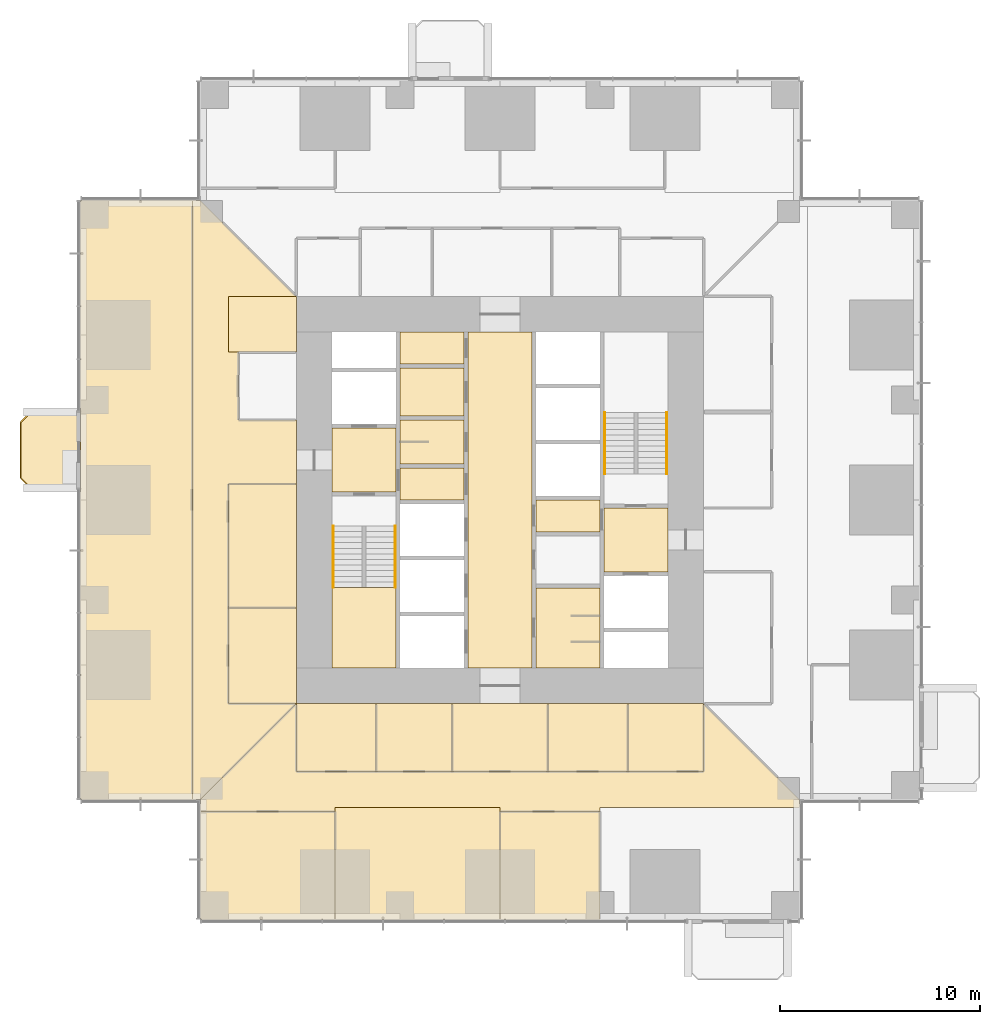
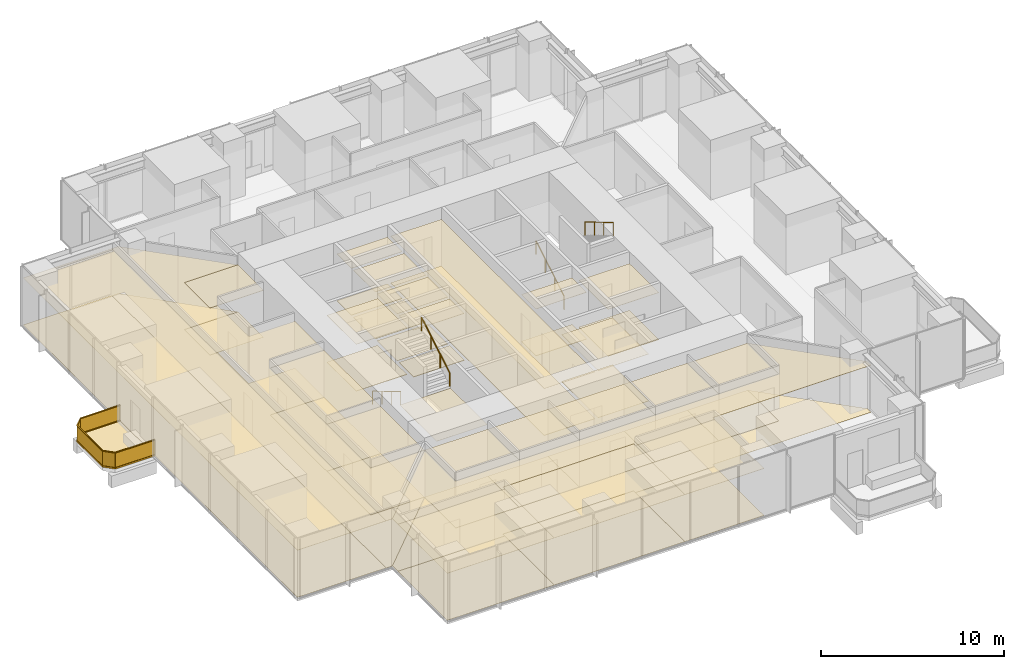
# One storey, part 13 of 15: 48 coverings, 5 railings.
"""IFC4 building model written with IfcOpenShell, lengths in metres."""

from ifc_helpers import new_model, si_unit, direction, frame, origin, origin_2d, place, context, subcontext, project, spatial, polyline, rectangle, circle, outline, extrude, material, layer, layer_set, type_object, element, save


model = new_model("IFC4")

# Units and contexts
model_context = context("Model", 3, precision=1e-05, world=origin(), true_north=direction((0.0, 1.0)))
body_context = subcontext(model_context, "Body", "Model", "MODEL_VIEW")
ifc_project = project(units=[si_unit("LENGTHUNIT", "METRE"), si_unit("AREAUNIT", "SQUARE_METRE"), si_unit("VOLUMEUNIT", "CUBIC_METRE"), si_unit("PLANEANGLEUNIT", "RADIAN"), si_unit("MASSUNIT", "GRAM", prefix="KILO")], contexts=[model_context])

# Site, building, storey
site_placement = place(None, origin())
site = spatial("IfcSite", under=ifc_project, at=site_placement, CompositionType="ELEMENT")
building_placement = place(site_placement, origin())
building = spatial("IfcBuilding", under=site, at=building_placement, Name="Svetlomir Tower", CompositionType="ELEMENT")
storey_placement = place(building_placement, frame((0.0, 0.0, 42.5)))
storey = spatial("IfcBuildingStorey", under=building, at=storey_placement, Name="L09", CompositionType="ELEMENT", Elevation=42.5)

# Railing
ifc_material_1 = material(Name="Bronze anodised aluminium and laminated glass", Category="aluminium")
railing_type_1 = type_object("IfcRailingType", Name="BALCONY GUARD GR1 1100", PredefinedType="GUARDRAIL", material=ifc_material_1)
railing_1_placement = place(storey_placement, frame((0.0, 25.39990234375, 0.0)))
element("IfcRailing", 1, at=railing_1_placement, inside=storey, type_object=railing_type_1, Name="Balcony guard W L09", PredefinedType="GUARDRAIL", context=body_context, shape_type="SweptSolid", body=[
    extrude(rectangle(XDim=0.06005859375, YDim=0.10009765625, at=origin_2d()), frame((0.0, 0.0, 0.050048828125), z_axis=(-1.0, 0.0, 0.0), x_axis=(0.0, -1.0, 0.0)), (0.0, 0.0, 1.0), 2.5),
    extrude(rectangle(XDim=0.021484375, YDim=0.960205078125, at=origin_2d()), frame((0.0, 0.0, 0.580078125), z_axis=(-1.0, 0.0, 0.0), x_axis=(0.0, -1.0, 0.0)), (0.0, 0.0, 1.0), 2.5),
    extrude(rectangle(XDim=0.06005859375, YDim=0.0400390625, at=origin_2d()), frame((0.0, 0.0, 1.080078125), z_axis=(-1.0, 0.0, 0.0), x_axis=(0.0, -1.0, 0.0)), (0.0, 0.0, 1.0), 2.5),
    extrude(rectangle(XDim=0.06005859375, YDim=0.10009765625, at=origin_2d()), frame((-2.5, 0.0, 0.050048828125), z_axis=(-0.707106781187, -0.707106781187, 0.0), x_axis=(0.707106781187, -0.707106781187, 0.0)), (0.0, 0.0, 1.0), 0.70703125),
    extrude(rectangle(XDim=0.021484375, YDim=0.960205078125, at=origin_2d()), frame((-2.5, 0.0, 0.580078125), z_axis=(-0.707106781187, -0.707106781187, 0.0), x_axis=(0.707106781187, -0.707106781187, 0.0)), (0.0, 0.0, 1.0), 0.70703125),
    extrude(rectangle(XDim=0.06005859375, YDim=0.0400390625, at=origin_2d()), frame((-2.5, 0.0, 1.080078125), z_axis=(-0.707106781187, -0.707106781187, 0.0), x_axis=(0.707106781187, -0.707106781187, 0.0)), (0.0, 0.0, 1.0), 0.70703125),
    extrude(rectangle(XDim=0.06005859375, YDim=0.10009765625, at=origin_2d()), frame((-3.0, -0.5, 0.050048828125), z_axis=(0.0, -1.0, 0.0), x_axis=(1.0, 0.0, 0.0)), (0.0, 0.0, 1.0), 2.7998046875),
    extrude(rectangle(XDim=0.021484375, YDim=0.960205078125, at=origin_2d()), frame((-3.0, -0.5, 0.580078125), z_axis=(0.0, -1.0, 0.0), x_axis=(1.0, 0.0, 0.0)), (0.0, 0.0, 1.0), 2.7998046875),
    extrude(rectangle(XDim=0.06005859375, YDim=0.0400390625, at=origin_2d()), frame((-3.0, -0.5, 1.080078125), z_axis=(0.0, -1.0, 0.0), x_axis=(1.0, 0.0, 0.0)), (0.0, 0.0, 1.0), 2.7998046875),
    extrude(rectangle(XDim=0.06005859375, YDim=0.10009765625, at=origin_2d()), frame((-3.0, -3.2998046875, 0.050048828125), z_axis=(0.707106781187, -0.707106781187, 0.0), x_axis=(0.707106781187, 0.707106781187, 0.0)), (0.0, 0.0, 1.0), 0.70703125),
    extrude(rectangle(XDim=0.021484375, YDim=0.960205078125, at=origin_2d()), frame((-3.0, -3.2998046875, 0.580078125), z_axis=(0.707106781187, -0.707106781187, 0.0), x_axis=(0.707106781187, 0.707106781187, 0.0)), (0.0, 0.0, 1.0), 0.70703125),
    extrude(rectangle(XDim=0.06005859375, YDim=0.0400390625, at=origin_2d()), frame((-3.0, -3.2998046875, 1.080078125), z_axis=(0.707106781187, -0.707106781187, 0.0), x_axis=(0.707106781187, 0.707106781187, 0.0)), (0.0, 0.0, 1.0), 0.70703125),
    extrude(rectangle(XDim=0.06005859375, YDim=0.10009765625, at=origin_2d()), frame((-2.5, -3.7998046875, 0.050048828125), z_axis=(1.0, 0.0, 0.0), x_axis=(0.0, 1.0, 0.0)), (0.0, 0.0, 1.0), 2.5),
    extrude(rectangle(XDim=0.021484375, YDim=0.960205078125, at=origin_2d()), frame((-2.5, -3.7998046875, 0.580078125), z_axis=(1.0, 0.0, 0.0), x_axis=(0.0, 1.0, 0.0)), (0.0, 0.0, 1.0), 2.5),
    extrude(rectangle(XDim=0.06005859375, YDim=0.0400390625, at=origin_2d()), frame((-2.5, -3.7998046875, 1.080078125), z_axis=(1.0, 0.0, 0.0), x_axis=(0.0, 1.0, 0.0)), (0.0, 0.0, 1.0), 2.5),
])

# Coverings
ifc_material_2 = material(Name="Granite paving slabs on pedestals", Category="masonry")
ifc_layer_1 = layer(ifc_material_2, 0.0400390625)
ifc_layer_set_1 = layer_set([ifc_layer_1], Name="Granite paving slabs on pedestals")
covering_type_1 = type_object("IfcCoveringType", Name="BALCONY PAVING 40", PredefinedType="USERDEFINED", material=ifc_layer_set_1)
covering_1_placement = place(storey_placement, origin())
element("IfcCovering", 2, at=covering_1_placement, inside=storey, type_object=covering_type_1, Name="Balcony paving W L09", ObjectType="BALCONY PAVING", PredefinedType="USERDEFINED", context=body_context, shape_type="SweptSolid", body=[
    extrude(outline(polyline([(-2.5, 21.60009765625), (0.0, 21.60009765625), (0.0, 25.39990234375), (-2.5, 25.39990234375), (-3.0, 24.89990234375), (-3.0, 22.10009765625), (-2.5, 21.60009765625)])), origin(), (0.0, 0.0, 1.0), 0.0400390625),
])
ifc_material_3 = material(Name="Carpet tile", Category="textile")
ifc_layer_2 = layer(ifc_material_3, 0.010009765625)
ifc_layer_set_2 = layer_set([ifc_layer_2], Name="Carpet tile")
covering_type_2 = type_object("IfcCoveringType", Name="CARPET TILE FLOOR 10", PredefinedType="FLOORING", material=ifc_layer_set_2)
covering_2_placement = place(storey_placement, origin())
element("IfcCovering", 3, at=covering_2_placement, inside=storey, type_object=covering_type_2, Name="Floor finish L09-13", PredefinedType="FLOORING", context=body_context, shape_type="SweptSolid", body=[
    extrude(outline(polyline([(10.800048828125, 7.39990234375), (14.800048828125, 7.39990234375), (14.800048828125, 10.800048828125), (10.800048828125, 10.800048828125), (10.800048828125, 7.39990234375)])), origin(), (0.0, 0.0, 1.0), 0.010009765625),
])
covering_3_placement = place(storey_placement, origin())
element("IfcCovering", 4, at=covering_3_placement, inside=storey, type_object=covering_type_2, Name="Floor finish L09-14", PredefinedType="FLOORING", context=body_context, shape_type="SweptSolid", body=[
    extrude(outline(polyline([(14.800048828125, 7.39990234375), (18.60009765625, 7.39990234375), (18.60009765625, 10.800048828125), (14.800048828125, 10.800048828125), (14.800048828125, 7.39990234375)])), origin(), (0.0, 0.0, 1.0), 0.010009765625),
])
covering_4_placement = place(storey_placement, origin())
element("IfcCovering", 5, at=covering_4_placement, inside=storey, type_object=covering_type_2, Name="Floor finish L09-15", PredefinedType="FLOORING", context=body_context, shape_type="SweptSolid", body=[
    extrude(outline(polyline([(23.39990234375, 7.39990234375), (27.39990234375, 7.39990234375), (27.39990234375, 10.800048828125), (23.39990234375, 10.800048828125), (23.39990234375, 7.39990234375)])), origin(), (0.0, 0.0, 1.0), 0.010009765625),
])
covering_5_placement = place(storey_placement, origin())
element("IfcCovering", 6, at=covering_5_placement, inside=storey, type_object=covering_type_2, Name="Floor finish L09-16", PredefinedType="FLOORING", context=body_context, shape_type="SweptSolid", body=[
    extrude(outline(polyline([(6.0, 0.0), (12.75, 0.0), (12.75, 5.39990234375), (6.0, 5.39990234375), (6.0, 0.0)])), origin(), (0.0, 0.0, 1.0), 0.010009765625),
])
covering_6_placement = place(storey_placement, origin())
element("IfcCovering", 7, at=covering_6_placement, inside=storey, type_object=covering_type_2, Name="Floor finish L09-17", PredefinedType="FLOORING", context=body_context, shape_type="SweptSolid", body=[
    extrude(outline(polyline([(21.0, 0.0), (26.0, 0.0), (26.0, 5.39990234375), (21.0, 5.39990234375), (21.0, 0.0)])), origin(), (0.0, 0.0, 1.0), 0.010009765625),
])
covering_7_placement = place(storey_placement, origin())
element("IfcCovering", 8, at=covering_7_placement, inside=storey, type_object=covering_type_2, Name="Floor finish L09-28", PredefinedType="FLOORING", context=body_context, shape_type="SweptSolid", body=[
    extrude(outline(polyline([(7.39990234375, 10.800048828125), (10.800048828125, 10.800048828125), (10.800048828125, 15.60009765625), (7.39990234375, 15.60009765625), (7.39990234375, 10.800048828125)])), origin(), (0.0, 0.0, 1.0), 0.010009765625),
])
covering_8_placement = place(storey_placement, origin())
element("IfcCovering", 9, at=covering_8_placement, inside=storey, type_object=covering_type_2, Name="Floor finish L09-30", PredefinedType="FLOORING", context=body_context, shape_type="SweptSolid", body=[
    extrude(outline(polyline([(6.0, 6.0), (10.800048828125, 10.800048828125), (10.800048828125, 7.39990234375), (31.199951171875, 7.39990234375), (31.199951171875, 10.800048828125), (36.0, 6.0), (36.0, 5.60009765625), (26.0, 5.60009765625), (26.0, 5.39990234375), (21.0, 5.39990234375), (21.0, 5.60009765625), (12.75, 5.60009765625), (12.75, 5.39990234375), (6.0, 5.39990234375), (6.0, 6.0)])), origin(), (0.0, 0.0, 1.0), 0.010009765625),
])
covering_9_placement = place(storey_placement, origin())
element("IfcCovering", 10, at=covering_9_placement, inside=storey, type_object=covering_type_2, Name="Floor finish L09-33", PredefinedType="FLOORING", context=body_context, shape_type="SweptSolid", body=[
    extrude(outline(polyline([(5.60009765625, 6.0), (5.60009765625, 36.0), (6.0, 36.0), (10.800048828125, 31.199951171875), (7.39990234375, 31.199951171875), (7.39990234375, 28.39990234375), (7.89990234375, 28.39990234375), (7.89990234375, 25.0), (10.800048828125, 25.0), (10.800048828125, 21.800048828125), (7.39990234375, 21.800048828125), (7.39990234375, 10.800048828125), (10.800048828125, 10.800048828125), (6.0, 6.0), (5.60009765625, 6.0)])), origin(), (0.0, 0.0, 1.0), 0.010009765625),
])
covering_10_placement = place(storey_placement, origin())
element("IfcCovering", 11, at=covering_10_placement, inside=storey, type_object=covering_type_2, Name="Floor finish L09-34", PredefinedType="FLOORING", context=body_context, shape_type="SweptSolid", body=[
    extrude(outline(polyline([(12.75, 5.60009765625), (21.0, 5.60009765625), (21.0, 0.0), (12.75, 0.0), (12.75, 5.60009765625)])), origin(), (0.0, 0.0, 1.0), 0.010009765625),
])
covering_11_placement = place(storey_placement, origin())
element("IfcCovering", 12, at=covering_11_placement, inside=storey, type_object=covering_type_2, Name="Floor finish L09-36", PredefinedType="FLOORING", context=body_context, shape_type="SweptSolid", body=[
    extrude(outline(polyline([(23.39990234375, 10.800048828125), (23.39990234375, 7.39990234375), (18.60009765625, 7.39990234375), (18.60009765625, 10.800048828125), (23.39990234375, 10.800048828125)])), origin(), (0.0, 0.0, 1.0), 0.010009765625),
])
covering_12_placement = place(storey_placement, origin())
element("IfcCovering", 13, at=covering_12_placement, inside=storey, type_object=covering_type_2, Name="Floor finish L09-37", PredefinedType="FLOORING", context=body_context, shape_type="SweptSolid", body=[
    extrude(outline(polyline([(31.199951171875, 10.800048828125), (31.199951171875, 7.39990234375), (27.39990234375, 7.39990234375), (27.39990234375, 10.800048828125), (31.199951171875, 10.800048828125)])), origin(), (0.0, 0.0, 1.0), 0.010009765625),
])
covering_13_placement = place(storey_placement, origin())
element("IfcCovering", 14, at=covering_13_placement, inside=storey, type_object=covering_type_2, Name="Floor finish L09-42", PredefinedType="FLOORING", context=body_context, shape_type="SweptSolid", body=[
    extrude(outline(polyline([(0.0, 36.0), (5.60009765625, 36.0), (5.60009765625, 6.0), (0.0, 6.0), (0.0, 36.0)])), origin(), (0.0, 0.0, 1.0), 0.010009765625),
])
covering_14_placement = place(storey_placement, origin())
element("IfcCovering", 15, at=covering_14_placement, inside=storey, type_object=covering_type_2, Name="Floor finish L09-43", PredefinedType="FLOORING", context=body_context, shape_type="SweptSolid", body=[
    extrude(outline(polyline([(7.39990234375, 28.39990234375), (7.39990234375, 31.199951171875), (10.800048828125, 31.199951171875), (10.800048828125, 28.39990234375), (7.39990234375, 28.39990234375)])), origin(), (0.0, 0.0, 1.0), 0.010009765625),
])
covering_15_placement = place(storey_placement, origin())
element("IfcCovering", 16, at=covering_15_placement, inside=storey, type_object=covering_type_2, Name="Floor finish L09-44", PredefinedType="FLOORING", context=body_context, shape_type="SweptSolid", body=[
    extrude(outline(polyline([(7.39990234375, 15.60009765625), (7.39990234375, 21.800048828125), (10.800048828125, 21.800048828125), (10.800048828125, 15.60009765625), (7.39990234375, 15.60009765625)])), origin(), (0.0, 0.0, 1.0), 0.010009765625),
])
ifc_material_4 = material(Name="Ceramic floor tile", Category="ceramic")
ifc_layer_3 = layer(ifc_material_4, 0.014892578125)
ifc_layer_set_3 = layer_set([ifc_layer_3], Name="Ceramic floor tile")
covering_type_3 = type_object("IfcCoveringType", Name="CERAMIC TILE FLOOR 15", PredefinedType="FLOORING", material=ifc_layer_set_3)
covering_16_placement = place(storey_placement, origin())
element("IfcCovering", 17, at=covering_16_placement, inside=storey, type_object=covering_type_3, Name="Floor finish L09-04", PredefinedType="FLOORING", context=body_context, shape_type="SweptSolid", body=[
    extrude(outline(polyline([(16.0, 22.800048828125), (19.199951171875, 22.800048828125), (19.199951171875, 25.0), (16.0, 25.0), (16.0, 22.800048828125)])), origin(), (0.0, 0.0, 1.0), 0.014892578125),
])
covering_17_placement = place(storey_placement, origin())
element("IfcCovering", 18, at=covering_17_placement, inside=storey, type_object=covering_type_3, Name="Floor finish L09-05", PredefinedType="FLOORING", context=body_context, shape_type="SweptSolid", body=[
    extrude(outline(polyline([(16.0, 25.199951171875), (19.199951171875, 25.199951171875), (19.199951171875, 27.60009765625), (16.0, 27.60009765625), (16.0, 25.199951171875)])), origin(), (0.0, 0.0, 1.0), 0.014892578125),
])
covering_18_placement = place(storey_placement, origin())
element("IfcCovering", 19, at=covering_18_placement, inside=storey, type_object=covering_type_3, Name="Floor finish L09-08", PredefinedType="FLOORING", context=body_context, shape_type="SweptSolid", body=[
    extrude(outline(polyline([(22.800048828125, 12.60009765625), (26.0, 12.60009765625), (26.0, 16.60009765625), (22.800048828125, 16.60009765625), (22.800048828125, 12.60009765625)])), origin(), (0.0, 0.0, 1.0), 0.014892578125),
])

# Railings
ifc_material_5 = material(Name="Stainless steel", Category="steel")
railing_type_2 = type_object("IfcRailingType", Name="HANDRAIL HR1 900", PredefinedType="HANDRAIL", material=ifc_material_5)
railing_2_placement = place(storey_placement, frame((12.64990234375, 19.699951171875, 0.166748046875)))
element("IfcRailing", 20, at=railing_2_placement, inside=storey, type_object=railing_type_2, Name="Handrail S1 flight 1 L09", PredefinedType="HANDRAIL", context=body_context, shape_type="SweptSolid", body=[
    extrude(circle(Radius=0.02392578125, at=origin_2d()), frame((0.0, 0.0, 0.8759765625), z_axis=(0.0, -0.859290745958, 0.51148745235), x_axis=(1.0, 0.0, 0.0)), (0.0, 0.0, 1.0), 3.584228515625),
    extrude(circle(Radius=0.02099609375, at=origin_2d()), origin(), (0.0, 0.0, 1.0), 0.851806640625),
    extrude(circle(Radius=0.02099609375, at=origin_2d()), frame((0.0, -1.026611328125, 0.611083984375)), (0.0, 0.0, 1.0), 0.851806640625),
    extrude(circle(Radius=0.02099609375, at=origin_2d()), frame((0.0, -2.05322265625, 1.22216796875)), (0.0, 0.0, 1.0), 0.851806640625),
    extrude(circle(Radius=0.02099609375, at=origin_2d()), frame((0.0, -3.079833984375, 1.833251953125)), (0.0, 0.0, 1.0), 0.851806640625),
])
for number, where, name in (
    (21, (15.75, 16.6201171875, 2.166748046875), "Handrail S1 flight 2 L09"),
    (22, (26.25, 22.300048828125, 0.166748046875), "Handrail S2 flight 1 L09"),
):
    element("IfcRailing", number, at=place(storey_placement, frame(where)), inside=storey, type_object=railing_type_2, Name=name, PredefinedType="HANDRAIL", context=body_context, shape_type="SweptSolid", body=[
        extrude(circle(Radius=0.02392578125, at=origin_2d()), frame((0.0, 0.0, 0.8759765625), z_axis=(0.0, 0.859290745958, 0.51148745235), x_axis=(-1.0, 0.0, 0.0)), (0.0, 0.0, 1.0), 3.584228515625),
        extrude(circle(Radius=0.02099609375, at=origin_2d()), origin(), (0.0, 0.0, 1.0), 0.851806640625),
        extrude(circle(Radius=0.02099609375, at=origin_2d()), frame((0.0, 1.026611328125, 0.611083984375)), (0.0, 0.0, 1.0), 0.851806640625),
        extrude(circle(Radius=0.02099609375, at=origin_2d()), frame((0.0, 2.05322265625, 1.22216796875)), (0.0, 0.0, 1.0), 0.851806640625),
        extrude(circle(Radius=0.02099609375, at=origin_2d()), frame((0.0, 3.079833984375, 1.833251953125)), (0.0, 0.0, 1.0), 0.851806640625),
    ])
railing_3_placement = place(storey_placement, frame((29.35009765625, 25.3798828125, 2.166748046875)))
element("IfcRailing", 23, at=railing_3_placement, inside=storey, type_object=railing_type_2, Name="Handrail S2 flight 2 L09", PredefinedType="HANDRAIL", context=body_context, shape_type="SweptSolid", body=[
    extrude(circle(Radius=0.02392578125, at=origin_2d()), frame((0.0, 0.0, 0.8759765625), z_axis=(0.0, -0.859290745958, 0.51148745235), x_axis=(1.0, 0.0, 0.0)), (0.0, 0.0, 1.0), 3.584228515625),
    extrude(circle(Radius=0.02099609375, at=origin_2d()), origin(), (0.0, 0.0, 1.0), 0.851806640625),
    extrude(circle(Radius=0.02099609375, at=origin_2d()), frame((0.0, -1.026611328125, 0.611083984375)), (0.0, 0.0, 1.0), 0.851806640625),
    extrude(circle(Radius=0.02099609375, at=origin_2d()), frame((0.0, -2.05322265625, 1.22216796875)), (0.0, 0.0, 1.0), 0.851806640625),
    extrude(circle(Radius=0.02099609375, at=origin_2d()), frame((0.0, -3.079833984375, 1.833251953125)), (0.0, 0.0, 1.0), 0.851806640625),
])

# Coverings
ifc_material_6 = material(Name="Moisture resistant plasterboard ceiling", Category="gypsum")
ifc_layer_4 = layer(ifc_material_6, 0.012451171875)
ifc_layer_set_4 = layer_set([ifc_layer_4], Name="Moisture resistant plasterboard ceiling")
covering_type_4 = type_object("IfcCoveringType", Name="MOISTURE RESISTANT CEILING 12.5", PredefinedType="CEILING", material=ifc_layer_set_4)
covering_19_placement = place(storey_placement, frame((0.0, 0.0, 3.137451171875)))
element("IfcCovering", 24, at=covering_19_placement, inside=storey, type_object=covering_type_4, Name="Ceiling L09-04", PredefinedType="CEILING", context=body_context, shape_type="SweptSolid", body=[
    extrude(outline(polyline([(16.0, 22.800048828125), (19.199951171875, 22.800048828125), (19.199951171875, 25.0), (16.0, 25.0), (16.0, 22.800048828125)])), origin(), (0.0, 0.0, 1.0), 0.012451171875),
])
covering_20_placement = place(storey_placement, frame((0.0, 0.0, 3.137451171875)))
element("IfcCovering", 25, at=covering_20_placement, inside=storey, type_object=covering_type_4, Name="Ceiling L09-05", PredefinedType="CEILING", context=body_context, shape_type="SweptSolid", body=[
    extrude(outline(polyline([(16.0, 25.199951171875), (19.199951171875, 25.199951171875), (19.199951171875, 27.60009765625), (16.0, 27.60009765625), (16.0, 25.199951171875)])), origin(), (0.0, 0.0, 1.0), 0.012451171875),
])
covering_21_placement = place(storey_placement, frame((0.0, 0.0, 3.137451171875)))
element("IfcCovering", 26, at=covering_21_placement, inside=storey, type_object=covering_type_4, Name="Ceiling L09-08", PredefinedType="CEILING", context=body_context, shape_type="SweptSolid", body=[
    extrude(outline(polyline([(22.800048828125, 12.60009765625), (26.0, 12.60009765625), (26.0, 16.60009765625), (22.800048828125, 16.60009765625), (22.800048828125, 12.60009765625)])), origin(), (0.0, 0.0, 1.0), 0.012451171875),
])
ifc_material_7 = material(Name="Gypsum plasterboard ceiling", Category="gypsum")
ifc_layer_5 = layer(ifc_material_7, 0.014892578125)
ifc_layer_set_5 = layer_set([ifc_layer_5], Name="Gypsum plasterboard ceiling")
covering_type_5 = type_object("IfcCoveringType", Name="PLASTERBOARD CEILING 15", PredefinedType="CEILING", material=ifc_layer_set_5)
covering_22_placement = place(storey_placement, frame((0.0, 0.0, 3.135009765625)))
element("IfcCovering", 27, at=covering_22_placement, inside=storey, type_object=covering_type_5, Name="Ceiling L09-02", PredefinedType="CEILING", context=body_context, shape_type="SweptSolid", body=[
    extrude(outline(polyline([(12.60009765625, 21.39990234375), (15.800048828125, 21.39990234375), (15.800048828125, 24.60009765625), (12.60009765625, 24.60009765625), (12.60009765625, 21.39990234375)])), origin(), (0.0, 0.0, 1.0), 0.014892578125),
])
covering_23_placement = place(storey_placement, frame((0.0, 0.0, 3.135009765625)))
element("IfcCovering", 28, at=covering_23_placement, inside=storey, type_object=covering_type_5, Name="Ceiling L09-03", PredefinedType="CEILING", context=body_context, shape_type="SweptSolid", body=[
    extrude(outline(polyline([(16.0, 21.0), (19.199951171875, 21.0), (19.199951171875, 22.60009765625), (16.0, 22.60009765625), (16.0, 21.0)])), origin(), (0.0, 0.0, 1.0), 0.014892578125),
])
covering_24_placement = place(storey_placement, frame((0.0, 0.0, 3.135009765625)))
element("IfcCovering", 29, at=covering_24_placement, inside=storey, type_object=covering_type_5, Name="Ceiling L09-06", PredefinedType="CEILING", context=body_context, shape_type="SweptSolid", body=[
    extrude(outline(polyline([(16.0, 27.800048828125), (19.199951171875, 27.800048828125), (19.199951171875, 29.39990234375), (16.0, 29.39990234375), (16.0, 27.800048828125)])), origin(), (0.0, 0.0, 1.0), 0.014892578125),
])
covering_25_placement = place(storey_placement, frame((0.0, 0.0, 3.135009765625)))
element("IfcCovering", 30, at=covering_25_placement, inside=storey, type_object=covering_type_5, Name="Ceiling L09-07", PredefinedType="CEILING", context=body_context, shape_type="SweptSolid", body=[
    extrude(outline(polyline([(19.39990234375, 12.60009765625), (22.60009765625, 12.60009765625), (22.60009765625, 29.39990234375), (19.39990234375, 29.39990234375), (19.39990234375, 12.60009765625)])), origin(), (0.0, 0.0, 1.0), 0.014892578125),
])
covering_26_placement = place(storey_placement, frame((0.0, 0.0, 3.135009765625)))
element("IfcCovering", 31, at=covering_26_placement, inside=storey, type_object=covering_type_5, Name="Ceiling L09-10", PredefinedType="CEILING", context=body_context, shape_type="SweptSolid", body=[
    extrude(outline(polyline([(22.800048828125, 19.39990234375), (26.0, 19.39990234375), (26.0, 21.0), (22.800048828125, 21.0), (22.800048828125, 19.39990234375)])), origin(), (0.0, 0.0, 1.0), 0.014892578125),
])
covering_27_placement = place(storey_placement, frame((0.0, 0.0, 3.135009765625)))
element("IfcCovering", 32, at=covering_27_placement, inside=storey, type_object=covering_type_5, Name="Ceiling L09-11", PredefinedType="CEILING", context=body_context, shape_type="SweptSolid", body=[
    extrude(outline(polyline([(26.199951171875, 17.39990234375), (29.39990234375, 17.39990234375), (29.39990234375, 20.60009765625), (26.199951171875, 20.60009765625), (26.199951171875, 17.39990234375)])), origin(), (0.0, 0.0, 1.0), 0.014892578125),
])
ifc_material_8 = material(Name="Studded rubber floor finish", Category="rubber")
ifc_layer_6 = layer(ifc_material_8, 0.006103515625)
ifc_layer_set_6 = layer_set([ifc_layer_6], Name="Studded rubber floor finish")
covering_type_6 = type_object("IfcCoveringType", Name="RUBBER LANDING FINISH 6", PredefinedType="FLOORING", material=ifc_layer_set_6)
covering_28_placement = place(storey_placement, frame((0.0, 0.0, 2.0)))
element("IfcCovering", 33, at=covering_28_placement, inside=storey, type_object=covering_type_6, Name="Stair S1 landing finish L09", PredefinedType="FLOORING", context=body_context, shape_type="SweptSolid", body=[
    extrude(outline(polyline([(12.60009765625, 12.60009765625), (15.800048828125, 12.60009765625), (15.800048828125, 16.6201171875), (12.60009765625, 16.6201171875), (12.60009765625, 12.60009765625)])), origin(), (0.0, 0.0, 1.0), 0.006103515625),
])
ifc_material_9 = material(Name="Mineral fibre ceiling tile", Category="mineral")
ifc_layer_7 = layer(ifc_material_9, 0.02001953125)
ifc_layer_set_7 = layer_set([ifc_layer_7], Name="Mineral fibre ceiling tile")
covering_type_7 = type_object("IfcCoveringType", Name="SUSPENDED CEILING 20", PredefinedType="CEILING", material=ifc_layer_set_7)
covering_29_placement = place(storey_placement, frame((0.0, 0.0, 3.1298828125)))
element("IfcCovering", 34, at=covering_29_placement, inside=storey, type_object=covering_type_7, Name="Ceiling L09-13", PredefinedType="CEILING", context=body_context, shape_type="SweptSolid", body=[
    extrude(outline(polyline([(10.800048828125, 7.39990234375), (14.800048828125, 7.39990234375), (14.800048828125, 10.800048828125), (10.800048828125, 10.800048828125), (10.800048828125, 7.39990234375)])), origin(), (0.0, 0.0, 1.0), 0.02001953125),
])
covering_30_placement = place(storey_placement, frame((0.0, 0.0, 3.1298828125)))
element("IfcCovering", 35, at=covering_30_placement, inside=storey, type_object=covering_type_7, Name="Ceiling L09-14", PredefinedType="CEILING", context=body_context, shape_type="SweptSolid", body=[
    extrude(outline(polyline([(14.800048828125, 7.39990234375), (18.60009765625, 7.39990234375), (18.60009765625, 10.800048828125), (14.800048828125, 10.800048828125), (14.800048828125, 7.39990234375)])), origin(), (0.0, 0.0, 1.0), 0.02001953125),
])
covering_31_placement = place(storey_placement, frame((0.0, 0.0, 3.1298828125)))
element("IfcCovering", 36, at=covering_31_placement, inside=storey, type_object=covering_type_7, Name="Ceiling L09-15", PredefinedType="CEILING", context=body_context, shape_type="SweptSolid", body=[
    extrude(outline(polyline([(23.39990234375, 7.39990234375), (27.39990234375, 7.39990234375), (27.39990234375, 10.800048828125), (23.39990234375, 10.800048828125), (23.39990234375, 7.39990234375)])), origin(), (0.0, 0.0, 1.0), 0.02001953125),
])
covering_32_placement = place(storey_placement, frame((0.0, 0.0, 3.1298828125)))
element("IfcCovering", 37, at=covering_32_placement, inside=storey, type_object=covering_type_7, Name="Ceiling L09-16", PredefinedType="CEILING", context=body_context, shape_type="SweptSolid", body=[
    extrude(outline(polyline([(6.0, 0.0), (12.75, 0.0), (12.75, 5.39990234375), (6.0, 5.39990234375), (6.0, 0.0)])), origin(), (0.0, 0.0, 1.0), 0.02001953125),
])
covering_33_placement = place(storey_placement, frame((0.0, 0.0, 3.1298828125)))
element("IfcCovering", 38, at=covering_33_placement, inside=storey, type_object=covering_type_7, Name="Ceiling L09-17", PredefinedType="CEILING", context=body_context, shape_type="SweptSolid", body=[
    extrude(outline(polyline([(21.0, 0.0), (26.0, 0.0), (26.0, 5.39990234375), (21.0, 5.39990234375), (21.0, 0.0)])), origin(), (0.0, 0.0, 1.0), 0.02001953125),
])
covering_34_placement = place(storey_placement, frame((0.0, 0.0, 3.1298828125)))
element("IfcCovering", 39, at=covering_34_placement, inside=storey, type_object=covering_type_7, Name="Ceiling L09-28", PredefinedType="CEILING", context=body_context, shape_type="SweptSolid", body=[
    extrude(outline(polyline([(7.39990234375, 10.800048828125), (10.800048828125, 10.800048828125), (10.800048828125, 15.60009765625), (7.39990234375, 15.60009765625), (7.39990234375, 10.800048828125)])), origin(), (0.0, 0.0, 1.0), 0.02001953125),
])
covering_35_placement = place(storey_placement, frame((0.0, 0.0, 3.1298828125)))
element("IfcCovering", 40, at=covering_35_placement, inside=storey, type_object=covering_type_7, Name="Ceiling L09-30", PredefinedType="CEILING", context=body_context, shape_type="SweptSolid", body=[
    extrude(outline(polyline([(6.0, 6.0), (10.800048828125, 10.800048828125), (10.800048828125, 7.39990234375), (31.199951171875, 7.39990234375), (31.199951171875, 10.800048828125), (36.0, 6.0), (36.0, 5.60009765625), (26.0, 5.60009765625), (26.0, 5.39990234375), (21.0, 5.39990234375), (21.0, 5.60009765625), (12.75, 5.60009765625), (12.75, 5.39990234375), (6.0, 5.39990234375), (6.0, 6.0)])), origin(), (0.0, 0.0, 1.0), 0.02001953125),
])
covering_36_placement = place(storey_placement, frame((0.0, 0.0, 3.1298828125)))
element("IfcCovering", 41, at=covering_36_placement, inside=storey, type_object=covering_type_7, Name="Ceiling L09-33", PredefinedType="CEILING", context=body_context, shape_type="SweptSolid", body=[
    extrude(outline(polyline([(5.60009765625, 6.0), (5.60009765625, 36.0), (6.0, 36.0), (10.800048828125, 31.199951171875), (7.39990234375, 31.199951171875), (7.39990234375, 28.39990234375), (7.89990234375, 28.39990234375), (7.89990234375, 25.0), (10.800048828125, 25.0), (10.800048828125, 21.800048828125), (7.39990234375, 21.800048828125), (7.39990234375, 10.800048828125), (10.800048828125, 10.800048828125), (6.0, 6.0), (5.60009765625, 6.0)])), origin(), (0.0, 0.0, 1.0), 0.02001953125),
])
covering_37_placement = place(storey_placement, frame((0.0, 0.0, 3.1298828125)))
element("IfcCovering", 42, at=covering_37_placement, inside=storey, type_object=covering_type_7, Name="Ceiling L09-34", PredefinedType="CEILING", context=body_context, shape_type="SweptSolid", body=[
    extrude(outline(polyline([(12.75, 5.60009765625), (21.0, 5.60009765625), (21.0, 0.0), (12.75, 0.0), (12.75, 5.60009765625)])), origin(), (0.0, 0.0, 1.0), 0.02001953125),
])
covering_38_placement = place(storey_placement, frame((0.0, 0.0, 3.1298828125)))
element("IfcCovering", 43, at=covering_38_placement, inside=storey, type_object=covering_type_7, Name="Ceiling L09-36", PredefinedType="CEILING", context=body_context, shape_type="SweptSolid", body=[
    extrude(outline(polyline([(23.39990234375, 10.800048828125), (23.39990234375, 7.39990234375), (18.60009765625, 7.39990234375), (18.60009765625, 10.800048828125), (23.39990234375, 10.800048828125)])), origin(), (0.0, 0.0, 1.0), 0.02001953125),
])
covering_39_placement = place(storey_placement, frame((0.0, 0.0, 3.1298828125)))
element("IfcCovering", 44, at=covering_39_placement, inside=storey, type_object=covering_type_7, Name="Ceiling L09-37", PredefinedType="CEILING", context=body_context, shape_type="SweptSolid", body=[
    extrude(outline(polyline([(31.199951171875, 10.800048828125), (31.199951171875, 7.39990234375), (27.39990234375, 7.39990234375), (27.39990234375, 10.800048828125), (31.199951171875, 10.800048828125)])), origin(), (0.0, 0.0, 1.0), 0.02001953125),
])
covering_40_placement = place(storey_placement, frame((0.0, 0.0, 3.1298828125)))
element("IfcCovering", 45, at=covering_40_placement, inside=storey, type_object=covering_type_7, Name="Ceiling L09-42", PredefinedType="CEILING", context=body_context, shape_type="SweptSolid", body=[
    extrude(outline(polyline([(0.0, 36.0), (5.60009765625, 36.0), (5.60009765625, 6.0), (0.0, 6.0), (0.0, 36.0)])), origin(), (0.0, 0.0, 1.0), 0.02001953125),
])
covering_41_placement = place(storey_placement, frame((0.0, 0.0, 3.1298828125)))
element("IfcCovering", 46, at=covering_41_placement, inside=storey, type_object=covering_type_7, Name="Ceiling L09-43", PredefinedType="CEILING", context=body_context, shape_type="SweptSolid", body=[
    extrude(outline(polyline([(7.39990234375, 28.39990234375), (7.39990234375, 31.199951171875), (10.800048828125, 31.199951171875), (10.800048828125, 28.39990234375), (7.39990234375, 28.39990234375)])), origin(), (0.0, 0.0, 1.0), 0.02001953125),
])
covering_42_placement = place(storey_placement, frame((0.0, 0.0, 3.1298828125)))
element("IfcCovering", 47, at=covering_42_placement, inside=storey, type_object=covering_type_7, Name="Ceiling L09-44", PredefinedType="CEILING", context=body_context, shape_type="SweptSolid", body=[
    extrude(outline(polyline([(7.39990234375, 15.60009765625), (7.39990234375, 21.800048828125), (10.800048828125, 21.800048828125), (10.800048828125, 15.60009765625), (7.39990234375, 15.60009765625)])), origin(), (0.0, 0.0, 1.0), 0.02001953125),
])
ifc_material_10 = material(Name="Bronze-aggregate terrazzo", Category="stone")
ifc_layer_8 = layer(ifc_material_10, 0.030029296875)
ifc_layer_set_8 = layer_set([ifc_layer_8], Name="Bronze-aggregate terrazzo")
covering_type_8 = type_object("IfcCoveringType", Name="TERRAZZO FLOOR 30", PredefinedType="FLOORING", material=ifc_layer_set_8)
covering_43_placement = place(storey_placement, origin())
element("IfcCovering", 48, at=covering_43_placement, inside=storey, type_object=covering_type_8, Name="Floor finish L09-02", PredefinedType="FLOORING", context=body_context, shape_type="SweptSolid", body=[
    extrude(outline(polyline([(12.60009765625, 21.39990234375), (15.800048828125, 21.39990234375), (15.800048828125, 24.60009765625), (12.60009765625, 24.60009765625), (12.60009765625, 21.39990234375)])), origin(), (0.0, 0.0, 1.0), 0.030029296875),
])
covering_44_placement = place(storey_placement, origin())
element("IfcCovering", 49, at=covering_44_placement, inside=storey, type_object=covering_type_8, Name="Floor finish L09-03", PredefinedType="FLOORING", context=body_context, shape_type="SweptSolid", body=[
    extrude(outline(polyline([(16.0, 21.0), (19.199951171875, 21.0), (19.199951171875, 22.60009765625), (16.0, 22.60009765625), (16.0, 21.0)])), origin(), (0.0, 0.0, 1.0), 0.030029296875),
])
covering_45_placement = place(storey_placement, origin())
element("IfcCovering", 50, at=covering_45_placement, inside=storey, type_object=covering_type_8, Name="Floor finish L09-06", PredefinedType="FLOORING", context=body_context, shape_type="SweptSolid", body=[
    extrude(outline(polyline([(16.0, 27.800048828125), (19.199951171875, 27.800048828125), (19.199951171875, 29.39990234375), (16.0, 29.39990234375), (16.0, 27.800048828125)])), origin(), (0.0, 0.0, 1.0), 0.030029296875),
])
covering_46_placement = place(storey_placement, origin())
element("IfcCovering", 51, at=covering_46_placement, inside=storey, type_object=covering_type_8, Name="Floor finish L09-07", PredefinedType="FLOORING", context=body_context, shape_type="SweptSolid", body=[
    extrude(outline(polyline([(19.39990234375, 12.60009765625), (22.60009765625, 12.60009765625), (22.60009765625, 29.39990234375), (19.39990234375, 29.39990234375), (19.39990234375, 12.60009765625)])), origin(), (0.0, 0.0, 1.0), 0.030029296875),
])
covering_47_placement = place(storey_placement, origin())
element("IfcCovering", 52, at=covering_47_placement, inside=storey, type_object=covering_type_8, Name="Floor finish L09-10", PredefinedType="FLOORING", context=body_context, shape_type="SweptSolid", body=[
    extrude(outline(polyline([(22.800048828125, 19.39990234375), (26.0, 19.39990234375), (26.0, 21.0), (22.800048828125, 21.0), (22.800048828125, 19.39990234375)])), origin(), (0.0, 0.0, 1.0), 0.030029296875),
])
covering_48_placement = place(storey_placement, origin())
element("IfcCovering", 53, at=covering_48_placement, inside=storey, type_object=covering_type_8, Name="Floor finish L09-11", PredefinedType="FLOORING", context=body_context, shape_type="SweptSolid", body=[
    extrude(outline(polyline([(26.199951171875, 17.39990234375), (29.39990234375, 17.39990234375), (29.39990234375, 20.60009765625), (26.199951171875, 20.60009765625), (26.199951171875, 17.39990234375)])), origin(), (0.0, 0.0, 1.0), 0.030029296875),
])

save(model, "model.ifc")
